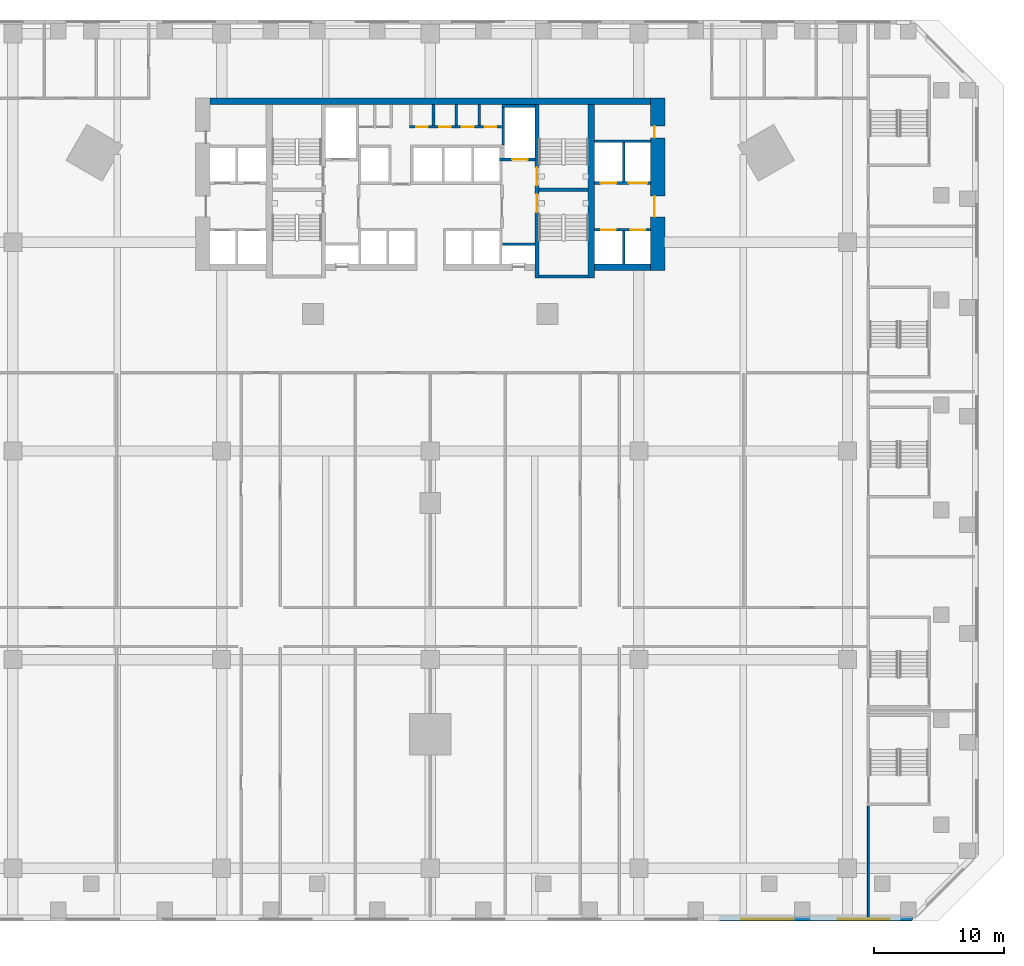
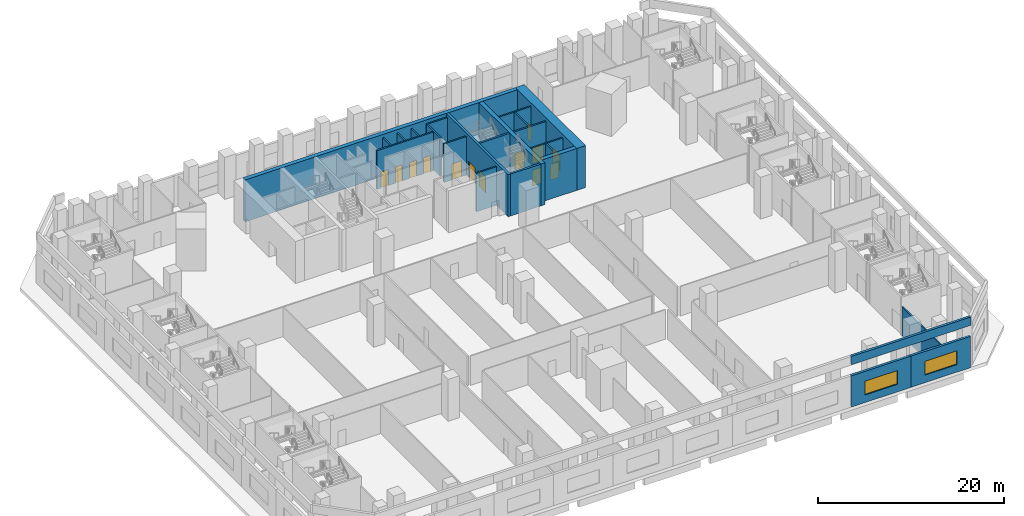
# One storey, part 8 of 22: 24 walls, 13 doors, 2 windows, 15 openings.
"""IFC4 building model written with IfcOpenShell, lengths in metres."""

from ifc_helpers import new_model, si_unit, direction, frame, frame_2d, origin, place, context, subcontext, project, spatial, rectangle, extrude, material, layer, layer_set, type_object, element, fill, save


model = new_model("IFC4")

# Units and contexts
model_context = context("Model", 3, precision=1e-05, world=origin(), true_north=direction((0.0, 1.0)))
body_context = subcontext(model_context, "Body", "Model", "MODEL_VIEW")
ifc_project = project(units=[si_unit("LENGTHUNIT", "METRE"), si_unit("AREAUNIT", "SQUARE_METRE"), si_unit("VOLUMEUNIT", "CUBIC_METRE"), si_unit("PLANEANGLEUNIT", "RADIAN"), si_unit("MASSUNIT", "GRAM", prefix="KILO")], contexts=[model_context])

# Site, building, storey
site_placement = place(None, origin())
site = spatial("IfcSite", under=ifc_project, at=site_placement, CompositionType="ELEMENT")
building_placement = place(site_placement, origin())
building = spatial("IfcBuilding", under=site, at=building_placement, Name="Calabash Gate Tower", CompositionType="ELEMENT")
storey_placement = place(building_placement, frame((0.0, 0.0, 34.5)))
storey = spatial("IfcBuildingStorey", under=building, at=storey_placement, Name="L04", CompositionType="ELEMENT", Elevation=34.5)

# Walls
ifc_material_1 = material(Name="Gypsum board on steel studs, mineral wool", Category="steel")
ifc_layer_1 = layer(ifc_material_1, 0.199951171875)
ifc_layer_set_1 = layer_set([ifc_layer_1], Name="Core partition 200 gypsum board")
wall_type_1 = type_object("IfcWallType", Name="Core partition 200 gypsum board", PredefinedType="PARTITIONING", material=ifc_layer_set_1)
for number, where, z_axis, x_axis, name in (
    (1, (0.25, 16.95263671875, 0.0), (0.0, 0.0, 1.0), (0.0, 1.0, 0.0), "Core partition"),
    (2, (2.0, 16.95263671875, 0.0), (0.0, 0.0, 1.0), (0.0, 1.0, 0.0), "Core partition"),
    (3, (3.75, 16.95263671875, 0.0), (0.0, 0.0, 1.0), (0.0, 1.0, 0.0), "Core partition"),
):
    element("IfcWall", number, at=place(storey_placement, frame(where, z_axis=z_axis, x_axis=x_axis)), inside=storey, type_object=wall_type_1, Name=name, PredefinedType="PARTITIONING", context=body_context, shape_type="SweptSolid", body=[
        extrude(rectangle(XDim=1.599853515625, YDim=0.199951171875, at=frame_2d((0.7998046875, 0.0))), origin(), (0.0, 0.0, 1.0), 5.050048828125),
    ])

# Wall, openings, doors
ifc_material_2 = material(Name="Concrete C80/95", Category="concrete")
ifc_layer_2 = layer(ifc_material_2, 1.10009765625)
ifc_layer_set_2 = layer_set([ifc_layer_2], Name="Core wall 1100 Concrete C80/95")
wall_type_2 = type_object("IfcWallType", Name="Core wall 1100 Concrete C80/95", PredefinedType="SHEAR", material=ifc_layer_set_2)
wall_1_placement = place(storey_placement, frame((17.449951171875, 5.8525390625, 0.0), z_axis=(0.0, 0.0, 1.0), x_axis=(0.0, 1.0, 0.0)))
wall_1 = element("IfcWall", 4, at=wall_1_placement, inside=storey, type_object=wall_type_2, Name="Core wall Z0-ENDE L04", PredefinedType="SHEAR", context=body_context, shape_type="SweptSolid", body=[
    extrude(rectangle(XDim=13.199951171875, YDim=1.10009765625, at=frame_2d((6.60009765625, 0.0))), origin(), (0.0, 0.0, 1.0), 5.5),
])
opening_1_placement = place(wall_1_placement, frame((4.10009765625, 0.0, 0.0)))
opening_1 = element("IfcOpeningElement", 5, at=opening_1_placement, cuts=wall_1, Name="Opening L04-018", PredefinedType="OPENING", context=body_context, shape_type="SweptSolid", body=[
    extrude(rectangle(XDim=1.60009765625, YDim=2.10009765625, at=frame_2d((0.800048828125, 1.050048828125))), frame((0.0, 0.56005859375, 0.0), z_axis=(0.0, -1.0, 0.0), x_axis=(1.0, 0.0, 0.0)), (0.0, 0.0, 1.0), 1.1201171875),
])
opening_2_placement = place(wall_1_placement, frame((10.14990234375, 0.0, 0.0)))
opening_2 = element("IfcOpeningElement", 6, at=opening_2_placement, cuts=wall_1, Name="Opening L04-019", PredefinedType="OPENING", context=body_context, shape_type="SweptSolid", body=[
    extrude(rectangle(XDim=0.89990234375, YDim=2.10009765625, at=frame_2d((0.449951171875, 1.050048828125))), frame((0.0, 0.56005859375, 0.0), z_axis=(0.0, -1.0, 0.0), x_axis=(1.0, 0.0, 0.0)), (0.0, 0.0, 1.0), 1.1201171875),
])
ifc_material_3 = material(Name="Steel fire door set with fire-resisting glazing", Category="steel")
door_type_1 = type_object("IfcDoorType", Name="Double fire door D08 1600x2100 FD60", OperationType="DOUBLE_DOOR_SINGLE_SWING", PredefinedType="DOOR", material=ifc_material_3)
door_1_placement = place(opening_1_placement, origin())
door_1 = element("IfcDoor", 7, at=door_1_placement, inside=storey, type_object=door_type_1, Name="Low-rise Lift Lobby E door", OperationType="DOUBLE_DOOR_SINGLE_SWING", OverallHeight=2.10009765625, OverallWidth=1.60009765625, PredefinedType="DOOR", context=body_context, shape_type="SweptSolid", body=[
    extrude(rectangle(XDim=1.60009765625, YDim=2.10009765625, at=frame_2d((0.800048828125, 1.050048828125))), frame((0.0, 0.27490234375, 0.0), z_axis=(0.0, -1.0, 0.0), x_axis=(1.0, 0.0, 0.0)), (0.0, 0.0, 1.0), 0.050048828125),
])
fill(opening_1, door_1)
ifc_material_4 = material(Name="Steel fire door set with fire-resisting glazing", Category="steel")
door_type_2 = type_object("IfcDoorType", Name="Fire door D06 900x2100 FD60", OperationType="NOTDEFINED", PredefinedType="DOOR", material=ifc_material_4)
door_2_placement = place(opening_2_placement, origin())
door_2 = element("IfcDoor", 8, at=door_2_placement, inside=storey, type_object=door_type_2, Name="Store door", OperationType="SINGLE_SWING_LEFT", OverallHeight=2.10009765625, OverallWidth=0.89990234375, PredefinedType="DOOR", context=body_context, shape_type="SweptSolid", body=[
    extrude(rectangle(XDim=0.89990234375, YDim=2.10009765625, at=frame_2d((0.449951171875, 1.050048828125))), frame((0.0, 0.27490234375, 0.0), z_axis=(0.0, -1.0, 0.0), x_axis=(1.0, 0.0, 0.0)), (0.0, 0.0, 1.0), 0.050048828125),
])
fill(opening_2, door_2)

# Walls
ifc_material_5 = material(Name="Concrete C80/95", Category="concrete")
ifc_layer_3 = layer(ifc_material_5, 0.25)
ifc_layer_set_3 = layer_set([ifc_layer_3], Name="Core wall 250 Concrete C80/95")
wall_type_3 = type_object("IfcWallType", Name="Core wall 250 Concrete C80/95", PredefinedType="SHEAR", material=ifc_layer_set_3)
for number, where, z_axis, x_axis, name in (
    (9, (8.35009765625, 12.027587890625, 0.0), (0.0, 0.0, 1.0), (1.0, 0.0, 0.0), "Core wall Z0-MIDE L04"),
    (10, (8.35009765625, 5.377685546875, 0.0), (0.0, 0.0, 1.0), (1.0, 0.0, 0.0), "Core wall Z0-SSE L04"),
):
    element("IfcWall", number, at=place(storey_placement, frame(where, z_axis=z_axis, x_axis=x_axis)), inside=storey, type_object=wall_type_3, Name=name, PredefinedType="SHEAR", context=body_context, shape_type="SweptSolid", body=[
        extrude(rectangle(XDim=3.75, YDim=0.25, at=frame_2d((1.875, 0.0))), origin(), (0.0, 0.0, 1.0), 5.5),
    ])

# Wall, openings, doors
ifc_material_6 = material(Name="Concrete C80/95", Category="concrete")
ifc_layer_4 = layer(ifc_material_6, 0.300048828125)
ifc_layer_set_4 = layer_set([ifc_layer_4], Name="Core wall 300 Concrete C80/95")
wall_type_4 = type_object("IfcWallType", Name="Core wall 300 Concrete C80/95", PredefinedType="SHEAR", material=ifc_layer_set_4)
wall_2_placement = place(storey_placement, frame((8.199951171875, 5.252685546875, 0.0), z_axis=(0.0, 0.0, 1.0), x_axis=(0.0, 1.0, 0.0)))
wall_2 = element("IfcWall", 11, at=wall_2_placement, inside=storey, type_object=wall_type_4, Name="Core wall Z0-PARTE L04", PredefinedType="SHEAR", context=body_context, shape_type="SweptSolid", body=[
    extrude(rectangle(XDim=13.2998046875, YDim=0.300048828125, at=frame_2d((6.64990234375, 0.0))), origin(), (0.0, 0.0, 1.0), 5.5),
])
opening_3_placement = place(wall_2_placement, frame((7.10009765625, 0.0, 0.0)))
opening_3 = element("IfcOpeningElement", 12, at=opening_3_placement, cuts=wall_2, Name="Opening L04-003", PredefinedType="OPENING", context=body_context, shape_type="SweptSolid", body=[
    extrude(rectangle(XDim=1.39990234375, YDim=2.10009765625, at=frame_2d((0.699951171875, 1.050048828125))), frame((0.0, 0.159912109375, 0.0), z_axis=(0.0, -1.0, 0.0), x_axis=(1.0, 0.0, 0.0)), (0.0, 0.0, 1.0), 0.320068359375),
])
opening_4_placement = place(wall_2_placement, frame((5.050048828125, 0.0, 0.0)))
opening_4 = element("IfcOpeningElement", 13, at=opening_4_placement, cuts=wall_2, Name="Opening L04-004", PredefinedType="OPENING", context=body_context, shape_type="SweptSolid", body=[
    extrude(rectangle(XDim=1.39990234375, YDim=2.10009765625, at=frame_2d((0.699951171875, 1.050048828125))), frame((0.0, 0.159912109375, 0.0), z_axis=(0.0, -1.0, 0.0), x_axis=(1.0, 0.0, 0.0)), (0.0, 0.0, 1.0), 0.320068359375),
])
ifc_material_7 = material(Name="Steel fire door set with fire-resisting glazing", Category="steel")
door_type_3 = type_object("IfcDoorType", Name="Fire door D05 1400x2100 FD90", OperationType="NOTDEFINED", PredefinedType="DOOR", material=ifc_material_7)
door_3_placement = place(opening_3_placement, origin())
door_3 = element("IfcDoor", 14, at=door_3_placement, inside=storey, type_object=door_type_3, Name="Exit stair door ST3", OperationType="SINGLE_SWING_RIGHT", OverallHeight=2.10009765625, OverallWidth=1.39990234375, PredefinedType="DOOR", context=body_context, shape_type="SweptSolid", body=[
    extrude(rectangle(XDim=1.39990234375, YDim=2.10009765625, at=frame_2d((0.699951171875, 1.050048828125))), frame((0.0, 0.02490234375, 0.0), z_axis=(0.0, -1.0, 0.0), x_axis=(1.0, 0.0, 0.0)), (0.0, 0.0, 1.0), 0.050048828125),
])
fill(opening_3, door_3)
door_4_placement = place(opening_4_placement, origin())
door_4 = element("IfcDoor", 15, at=door_4_placement, inside=storey, type_object=door_type_3, Name="Exit stair door ST4", OperationType="SINGLE_SWING_LEFT", OverallHeight=2.10009765625, OverallWidth=1.39990234375, PredefinedType="DOOR", context=body_context, shape_type="SweptSolid", body=[
    extrude(rectangle(XDim=1.39990234375, YDim=2.10009765625, at=frame_2d((0.699951171875, 1.050048828125))), frame((0.0, 0.02490234375, 0.0), z_axis=(0.0, -1.0, 0.0), x_axis=(1.0, 0.0, 0.0)), (0.0, 0.0, 1.0), 0.050048828125),
])
fill(opening_4, door_4)

# Walls
ifc_material_8 = material(Name="Concrete C80/95", Category="concrete")
ifc_layer_5 = layer(ifc_material_8, 0.5)
ifc_layer_set_5 = layer_set([ifc_layer_5], Name="Core wall 500 Concrete C80/95")
wall_type_5 = type_object("IfcWallType", Name="Core wall 500 Concrete C80/95", PredefinedType="SHEAR", material=ifc_layer_set_5)
wall_3_placement = place(storey_placement, frame((-16.89990234375, 18.802490234375, 0.0), z_axis=(0.0, 0.0, 1.0), x_axis=(1.0, 0.0, 0.0)))
element("IfcWall", 16, at=wall_3_placement, inside=storey, type_object=wall_type_5, Name="Core wall Z0-N L04", PredefinedType="SHEAR", context=body_context, shape_type="SweptSolid", body=[
    extrude(rectangle(XDim=33.7998046875, YDim=0.5, at=frame_2d((16.89990234375, 0.0))), origin(), (0.0, 0.0, 1.0), 5.5),
])
wall_4_placement = place(storey_placement, frame((12.35009765625, 5.252685546875, 0.0), z_axis=(0.0, 0.0, 1.0), x_axis=(0.0, 1.0, 0.0)))
element("IfcWall", 17, at=wall_4_placement, inside=storey, type_object=wall_type_5, Name="Core wall Z0-COLE L04", PredefinedType="SHEAR", context=body_context, shape_type="SweptSolid", body=[
    extrude(rectangle(XDim=13.2998046875, YDim=0.5, at=frame_2d((6.64990234375, 0.0))), origin(), (0.0, 0.0, 1.0), 5.5),
])
wall_5_placement = place(storey_placement, frame((12.60009765625, 6.1025390625, 0.0), z_axis=(0.0, 0.0, 1.0), x_axis=(1.0, 0.0, 0.0)))
element("IfcWall", 18, at=wall_5_placement, inside=storey, type_object=wall_type_5, Name="Core wall Z0-SE L04", PredefinedType="SHEAR", context=body_context, shape_type="SweptSolid", body=[
    extrude(rectangle(XDim=4.2998046875, YDim=0.5, at=frame_2d((2.14990234375, 0.0))), origin(), (0.0, 0.0, 1.0), 5.5),
])
ifc_material_9 = material(Name="Gypsum board on steel studs, mineral wool", Category="steel")
ifc_layer_6 = layer(ifc_material_9, 0.14990234375)
ifc_layer_set_6 = layer_set([ifc_layer_6], Name="Partition 150 gypsum board")
wall_type_6 = type_object("IfcWallType", Name="Partition 150 gypsum board", PredefinedType="PARTITIONING", material=ifc_layer_set_6)
wall_6_placement = place(storey_placement, frame((33.60009765625, -43.719970703125, 0.0), z_axis=(0.0, 0.0, 1.0), x_axis=(0.0, 1.0, 0.0)))
element("IfcWall", 19, at=wall_6_placement, inside=storey, type_object=wall_type_6, Name="Partition", PredefinedType="PARTITIONING", context=body_context, shape_type="SweptSolid", body=[
    extrude(rectangle(XDim=8.47998046875, YDim=0.14990234375, at=frame_2d((4.239990234375, 0.0))), origin(), (0.0, 0.0, 1.0), 3.85009765625),
])

# Wall, opening, window
ifc_material_10 = material(Name="Terracotta brick masonry, exposed face", Category="masonry")
ifc_layer_7 = layer(ifc_material_10, 0.300048828125)
ifc_layer_set_7 = layer_set([ifc_layer_7], Name="Podium brick wall 300")
wall_type_7 = type_object("IfcWallType", Name="Podium brick wall 300", PredefinedType="SOLIDWALL", material=ifc_layer_set_7)
wall_7_placement = place(storey_placement, frame((22.169921875, -43.89990234375, 0.0), z_axis=(0.0, 0.0, 1.0), x_axis=(1.0, 0.0, 0.0)))
wall_7 = element("IfcWall", 20, at=wall_7_placement, inside=storey, type_object=wall_type_7, Name="Podium brick wall L04 0.0.8", PredefinedType="SOLIDWALL", context=body_context, shape_type="SweptSolid", body=[
    extrude(rectangle(XDim=7.39013671875, YDim=0.300048828125, at=frame_2d((3.695068359375, 0.0))), origin(), (0.0, 0.0, 1.0), 4.10009765625),
])
opening_5_placement = place(wall_7_placement, frame((1.695068359375, 0.0, 1.0)))
opening_5 = element("IfcOpeningElement", 21, at=opening_5_placement, cuts=wall_7, Name="Opening WM1", PredefinedType="OPENING", context=body_context, shape_type="SweptSolid", body=[
    extrude(rectangle(XDim=4.0, YDim=1.800048828125, at=frame_2d((2.0, 0.89990234375))), frame((0.0, 0.159912109375, 0.0), z_axis=(0.0, -1.0, 0.0), x_axis=(1.0, 0.0, 0.0)), (0.0, 0.0, 1.0), 0.320068359375),
])
ifc_material_11 = material(Name="Anodised aluminium frame, bronze finish, impact-rated laminated clear glazing", Category="aluminium")
window_type = type_object("IfcWindowType", Name="Window WM1 4000x1800", PartitioningType="TRIPLE_PANEL_VERTICAL", PredefinedType="WINDOW", material=ifc_material_11)
window_1_placement = place(opening_5_placement, origin())
window_1 = element("IfcWindow", 22, at=window_1_placement, inside=storey, type_object=window_type, Name="Meeting room window L04 0.0.8", OverallHeight=1.800048828125, OverallWidth=4.0, PartitioningType="SINGLE_PANEL", PredefinedType="WINDOW", context=body_context, shape_type="SweptSolid", body=[
    extrude(rectangle(XDim=4.0, YDim=1.800048828125, at=frame_2d((2.0, 0.89990234375))), frame((0.0, 0.030029296875, 0.0), z_axis=(0.0, -1.0, 0.0), x_axis=(1.0, 0.0, 0.0)), (0.0, 0.0, 1.0), 0.06005859375),
])
fill(opening_5, window_1)

wall_8_placement = place(storey_placement, frame((29.56005859375, -43.89990234375, 0.0), z_axis=(0.0, 0.0, 1.0), x_axis=(1.0, 0.0, 0.0)))
wall_8 = element("IfcWall", 23, at=wall_8_placement, inside=storey, type_object=wall_type_7, Name="Podium brick wall L04 0.0.9", PredefinedType="SOLIDWALL", context=body_context, shape_type="SweptSolid", body=[
    extrude(rectangle(XDim=7.389892578125, YDim=0.300048828125, at=frame_2d((3.69482421875, 0.0))), origin(), (0.0, 0.0, 1.0), 4.10009765625),
])
opening_6_placement = place(wall_8_placement, frame((1.695068359375, 0.0, 1.0)))
opening_6 = element("IfcOpeningElement", 24, at=opening_6_placement, cuts=wall_8, Name="Opening WM1", PredefinedType="OPENING", context=body_context, shape_type="SweptSolid", body=[
    extrude(rectangle(XDim=4.0, YDim=1.800048828125, at=frame_2d((2.0, 0.89990234375))), frame((0.0, 0.159912109375, 0.0), z_axis=(0.0, -1.0, 0.0), x_axis=(1.0, 0.0, 0.0)), (0.0, 0.0, 1.0), 0.320068359375),
])
window_2_placement = place(opening_6_placement, origin())
window_2 = element("IfcWindow", 25, at=window_2_placement, inside=storey, type_object=window_type, Name="Meeting room window L04 0.0.9", OverallHeight=1.800048828125, OverallWidth=4.0, PartitioningType="SINGLE_PANEL", PredefinedType="WINDOW", context=body_context, shape_type="SweptSolid", body=[
    extrude(rectangle(XDim=4.0, YDim=1.800048828125, at=frame_2d((2.0, 0.89990234375))), frame((0.0, 0.030029296875, 0.0), z_axis=(0.0, -1.0, 0.0), x_axis=(1.0, 0.0, 0.0)), (0.0, 0.0, 1.0), 0.06005859375),
])
fill(opening_6, window_2)

# Walls
ifc_material_12 = material(Name="Terracotta brick masonry, exposed face", Category="masonry")
ifc_layer_8 = layer(ifc_material_12, 0.300048828125)
ifc_layer_set_8 = layer_set([ifc_layer_8], Name="Podium parapet wall 300")
wall_type_8 = type_object("IfcWallType", Name="Podium parapet wall 300", PredefinedType="PARAPET", material=ifc_layer_set_8)
wall_9_placement = place(storey_placement, frame((22.199951171875, -43.85009765625, 5.5), z_axis=(0.0, 0.0, 1.0), x_axis=(1.0, 0.0, 0.0)))
element("IfcWall", 26, at=wall_9_placement, inside=storey, type_object=wall_type_8, Name="Podium parapet L04 0.0.4", PredefinedType="PARAPET", context=body_context, shape_type="SweptSolid", body=[
    extrude(rectangle(XDim=14.800048828125, YDim=0.300048828125, at=frame_2d((7.39990234375, 0.0))), origin(), (0.0, 0.0, 1.0), 1.10009765625),
])
ifc_material_13 = material(Name="Concrete C40/50", Category="concrete")
ifc_layer_9 = layer(ifc_material_13, 0.199951171875)
ifc_layer_set_9 = layer_set([ifc_layer_9], Name="Shaft wall 200 Concrete C40/50")
wall_type_9 = type_object("IfcWallType", Name="Shaft wall 200 Concrete C40/50", PredefinedType="SOLIDWALL", material=ifc_layer_set_9)
for number, where, z_axis, x_axis, name in (
    (27, (14.85009765625, 6.3525390625, 0.0), (0.0, 0.0, 1.0), (0.0, 1.0, 0.0), "Shaft wall"),
    (28, (5.550048828125, 7.8525390625, 0.0), (0.0, 0.0, 1.0), (1.0, 0.0, 0.0), "Shaft wall"),
):
    element("IfcWall", number, at=place(storey_placement, frame(where, z_axis=z_axis, x_axis=x_axis)), inside=storey, type_object=wall_type_9, Name=name, PredefinedType="SOLIDWALL", context=body_context, shape_type="SweptSolid", body=[
        extrude(rectangle(XDim=2.5, YDim=0.199951171875, at=frame_2d((1.25, 0.0))), origin(), (0.0, 0.0, 1.0), 5.050048828125),
    ])

# Wall, openings, doors
wall_10_placement = place(storey_placement, frame((12.60009765625, 8.95263671875, 0.0), z_axis=(0.0, 0.0, 1.0), x_axis=(1.0, 0.0, 0.0)))
wall_10 = element("IfcWall", 29, at=wall_10_placement, inside=storey, type_object=wall_type_9, Name="Shaft wall", PredefinedType="SOLIDWALL", context=body_context, shape_type="SweptSolid", body=[
    extrude(rectangle(XDim=4.2998046875, YDim=0.199951171875, at=frame_2d((2.14990234375, 0.0))), origin(), (0.0, 0.0, 1.0), 5.050048828125),
])
opening_7_placement = place(wall_10_placement, frame((0.52490234375, 0.0, 0.0)))
opening_7 = element("IfcOpeningElement", 30, at=opening_7_placement, cuts=wall_10, Name="Opening LD-LR5", PredefinedType="OPENING", context=body_context, shape_type="SweptSolid", body=[
    extrude(rectangle(XDim=1.10009765625, YDim=2.10009765625, at=frame_2d((0.550048828125, 1.050048828125))), frame((0.0, 0.10986328125, 0.0), z_axis=(0.0, -1.0, 0.0), x_axis=(1.0, 0.0, 0.0)), (0.0, 0.0, 1.0), 0.219970703125),
])
opening_8_placement = place(wall_10_placement, frame((2.77490234375, 0.0, 0.0)))
opening_8 = element("IfcOpeningElement", 31, at=opening_8_placement, cuts=wall_10, Name="Opening LD-LR6", PredefinedType="OPENING", context=body_context, shape_type="SweptSolid", body=[
    extrude(rectangle(XDim=1.10009765625, YDim=2.10009765625, at=frame_2d((0.550048828125, 1.050048828125))), frame((0.0, 0.10986328125, 0.0), z_axis=(0.0, -1.0, 0.0), x_axis=(1.0, 0.0, 0.0)), (0.0, 0.0, 1.0), 0.219970703125),
])
ifc_material_14 = material(Name="Stainless steel sliding door leaves", Category="steel")
door_type_4 = type_object("IfcDoorType", Name="Lift landing door LS1 1100x2100 FD90", OperationType="DOUBLE_DOOR_SLIDING", PredefinedType="DOOR", material=ifc_material_14)
door_5_placement = place(opening_7_placement, origin())
door_5 = element("IfcDoor", 32, at=door_5_placement, inside=storey, type_object=door_type_4, Name="Lift landing door LR5", OperationType="DOUBLE_DOOR_SLIDING", OverallHeight=2.10009765625, OverallWidth=1.10009765625, PredefinedType="DOOR", context=body_context, shape_type="SweptSolid", body=[
    extrude(rectangle(XDim=1.10009765625, YDim=2.10009765625, at=frame_2d((0.550048828125, 1.050048828125))), frame((0.0, 0.02490234375, 0.0), z_axis=(0.0, -1.0, 0.0), x_axis=(1.0, 0.0, 0.0)), (0.0, 0.0, 1.0), 0.050048828125),
])
fill(opening_7, door_5)
door_6_placement = place(opening_8_placement, origin())
door_6 = element("IfcDoor", 33, at=door_6_placement, inside=storey, type_object=door_type_4, Name="Lift landing door LR6", OperationType="DOUBLE_DOOR_SLIDING", OverallHeight=2.10009765625, OverallWidth=1.10009765625, PredefinedType="DOOR", context=body_context, shape_type="SweptSolid", body=[
    extrude(rectangle(XDim=1.10009765625, YDim=2.10009765625, at=frame_2d((0.550048828125, 1.050048828125))), frame((0.0, 0.02490234375, 0.0), z_axis=(0.0, -1.0, 0.0), x_axis=(1.0, 0.0, 0.0)), (0.0, 0.0, 1.0), 0.050048828125),
])
fill(opening_8, door_6)

wall_11_placement = place(storey_placement, frame((12.60009765625, 12.552490234375, 0.0), z_axis=(0.0, 0.0, 1.0), x_axis=(1.0, 0.0, 0.0)))
wall_11 = element("IfcWall", 34, at=wall_11_placement, inside=storey, type_object=wall_type_9, Name="Shaft wall", PredefinedType="SOLIDWALL", context=body_context, shape_type="SweptSolid", body=[
    extrude(rectangle(XDim=4.2998046875, YDim=0.199951171875, at=frame_2d((2.14990234375, 0.0))), origin(), (0.0, 0.0, 1.0), 5.050048828125),
])
opening_9_placement = place(wall_11_placement, frame((0.47509765625, 0.0, 0.0)))
opening_9 = element("IfcOpeningElement", 35, at=opening_9_placement, cuts=wall_11, Name="Opening LD-SL1", PredefinedType="OPENING", context=body_context, shape_type="SweptSolid", body=[
    extrude(rectangle(XDim=1.199951171875, YDim=2.10009765625, at=frame_2d((0.60009765625, 1.050048828125))), frame((0.0, 0.10986328125, 0.0), z_axis=(0.0, -1.0, 0.0), x_axis=(1.0, 0.0, 0.0)), (0.0, 0.0, 1.0), 0.219970703125),
])
opening_10_placement = place(wall_11_placement, frame((2.625, 0.0, 0.0)))
opening_10 = element("IfcOpeningElement", 36, at=opening_10_placement, cuts=wall_11, Name="Opening LD-GL1", PredefinedType="OPENING", context=body_context, shape_type="SweptSolid", body=[
    extrude(rectangle(XDim=1.39990234375, YDim=2.10009765625, at=frame_2d((0.699951171875, 1.050048828125))), frame((0.0, 0.10986328125, 0.0), z_axis=(0.0, -1.0, 0.0), x_axis=(1.0, 0.0, 0.0)), (0.0, 0.0, 1.0), 0.219970703125),
])
ifc_material_15 = material(Name="Stainless steel sliding door leaves", Category="steel")
door_type_5 = type_object("IfcDoorType", Name="Lift landing door LS3 1200x2100 FD90", OperationType="DOUBLE_DOOR_SLIDING", PredefinedType="DOOR", material=ifc_material_15)
door_7_placement = place(opening_9_placement, origin())
door_7 = element("IfcDoor", 37, at=door_7_placement, inside=storey, type_object=door_type_5, Name="Lift landing door SL1", OperationType="DOUBLE_DOOR_SLIDING", OverallHeight=2.10009765625, OverallWidth=1.199951171875, PredefinedType="DOOR", context=body_context, shape_type="SweptSolid", body=[
    extrude(rectangle(XDim=1.199951171875, YDim=2.10009765625, at=frame_2d((0.60009765625, 1.050048828125))), frame((0.0, 0.02490234375, 0.0), z_axis=(0.0, -1.0, 0.0), x_axis=(1.0, 0.0, 0.0)), (0.0, 0.0, 1.0), 0.050048828125),
])
fill(opening_9, door_7)
ifc_material_16 = material(Name="Stainless steel sliding door leaves", Category="steel")
door_type_6 = type_object("IfcDoorType", Name="Lift landing door LS4 1400x2100 FD90", OperationType="DOUBLE_DOOR_SLIDING", PredefinedType="DOOR", material=ifc_material_16)
door_8_placement = place(opening_10_placement, origin())
door_8 = element("IfcDoor", 38, at=door_8_placement, inside=storey, type_object=door_type_6, Name="Lift landing door GL1", OperationType="DOUBLE_DOOR_SLIDING", OverallHeight=2.10009765625, OverallWidth=1.39990234375, PredefinedType="DOOR", context=body_context, shape_type="SweptSolid", body=[
    extrude(rectangle(XDim=1.39990234375, YDim=2.10009765625, at=frame_2d((0.699951171875, 1.050048828125))), frame((0.0, 0.02490234375, 0.0), z_axis=(0.0, -1.0, 0.0), x_axis=(1.0, 0.0, 0.0)), (0.0, 0.0, 1.0), 0.050048828125),
])
fill(opening_10, door_8)

# Wall
wall_12_placement = place(storey_placement, frame((14.85009765625, 12.652587890625, 0.0), z_axis=(0.0, 0.0, 1.0), x_axis=(0.0, 1.0, 0.0)))
element("IfcWall", 39, at=wall_12_placement, inside=storey, type_object=wall_type_9, Name="Shaft wall", PredefinedType="SOLIDWALL", context=body_context, shape_type="SweptSolid", body=[
    extrude(rectangle(XDim=3.0, YDim=0.199951171875, at=frame_2d((1.5, 0.0))), origin(), (0.0, 0.0, 1.0), 5.050048828125),
])

# Wall, opening, door
wall_13_placement = place(storey_placement, frame((5.300048828125, 14.3525390625, 0.0), z_axis=(0.0, 0.0, 1.0), x_axis=(1.0, 0.0, 0.0)))
wall_13 = element("IfcWall", 40, at=wall_13_placement, inside=storey, type_object=wall_type_9, Name="Shaft wall", PredefinedType="SOLIDWALL", context=body_context, shape_type="SweptSolid", body=[
    extrude(rectangle(XDim=2.75, YDim=0.199951171875, at=frame_2d((1.375, 0.0))), origin(), (0.0, 0.0, 1.0), 5.050048828125),
])
opening_11_placement = place(wall_13_placement, frame((0.97509765625, 0.0, 0.0)))
opening_11 = element("IfcOpeningElement", 41, at=opening_11_placement, cuts=wall_13, Name="Opening LD-FF2", PredefinedType="OPENING", context=body_context, shape_type="SweptSolid", body=[
    extrude(rectangle(XDim=1.199951171875, YDim=2.10009765625, at=frame_2d((0.60009765625, 1.050048828125))), frame((0.0, 0.10986328125, 0.0), z_axis=(0.0, -1.0, 0.0), x_axis=(1.0, 0.0, 0.0)), (0.0, 0.0, 1.0), 0.219970703125),
])
door_9_placement = place(opening_11_placement, origin())
door_9 = element("IfcDoor", 42, at=door_9_placement, inside=storey, type_object=door_type_5, Name="Lift landing door FF2", OperationType="DOUBLE_DOOR_SLIDING", OverallHeight=2.10009765625, OverallWidth=1.199951171875, PredefinedType="DOOR", context=body_context, shape_type="SweptSolid", body=[
    extrude(rectangle(XDim=1.199951171875, YDim=2.10009765625, at=frame_2d((0.60009765625, 1.050048828125))), frame((0.0, 0.02490234375, 0.0), z_axis=(0.0, -1.0, 0.0), x_axis=(1.0, 0.0, 0.0)), (0.0, 0.0, 1.0), 0.050048828125),
])
fill(opening_11, door_9)

# Walls
wall_14_placement = place(storey_placement, frame((5.60009765625, 15.45263671875, 0.0), z_axis=(0.0, 0.0, 1.0), x_axis=(0.0, 1.0, 0.0)))
element("IfcWall", 43, at=wall_14_placement, inside=storey, type_object=wall_type_9, Name="Shaft wall", PredefinedType="SOLIDWALL", context=body_context, shape_type="SweptSolid", body=[
    extrude(rectangle(XDim=2.89990234375, YDim=0.199951171875, at=frame_2d((1.449951171875, 0.0))), origin(), (0.0, 0.0, 1.0), 5.050048828125),
])
wall_15_placement = place(storey_placement, frame((12.60009765625, 15.752685546875, 0.0), z_axis=(0.0, 0.0, 1.0), x_axis=(1.0, 0.0, 0.0)))
element("IfcWall", 44, at=wall_15_placement, inside=storey, type_object=wall_type_9, Name="Shaft wall", PredefinedType="SOLIDWALL", context=body_context, shape_type="SweptSolid", body=[
    extrude(rectangle(XDim=4.2998046875, YDim=0.199951171875, at=frame_2d((2.14990234375, 0.0))), origin(), (0.0, 0.0, 1.0), 5.050048828125),
])

# Wall, openings, doors
wall_16_placement = place(storey_placement, frame((-1.60009765625, 16.8525390625, 0.0), z_axis=(0.0, 0.0, 1.0), x_axis=(1.0, 0.0, 0.0)))
wall_16 = element("IfcWall", 45, at=wall_16_placement, inside=storey, type_object=wall_type_9, Name="Shaft wall", PredefinedType="SOLIDWALL", context=body_context, shape_type="SweptSolid", body=[
    extrude(rectangle(XDim=7.050048828125, YDim=0.199951171875, at=frame_2d((3.52490234375, 0.0))), origin(), (0.0, 0.0, 1.0), 5.050048828125),
])
opening_12_placement = place(wall_16_placement, frame((0.52490234375, 0.0, 0.0)))
opening_12 = element("IfcOpeningElement", 46, at=opening_12_placement, cuts=wall_16, Name="Opening L04-010", PredefinedType="OPENING", context=body_context, shape_type="SweptSolid", body=[
    extrude(rectangle(XDim=0.89990234375, YDim=2.10009765625, at=frame_2d((0.449951171875, 1.050048828125))), frame((0.0, 0.10986328125, 0.0), z_axis=(0.0, -1.0, 0.0), x_axis=(1.0, 0.0, 0.0)), (0.0, 0.0, 1.0), 0.219970703125),
])
opening_13_placement = place(wall_16_placement, frame((2.27490234375, 0.0, 0.0)))
opening_13 = element("IfcOpeningElement", 47, at=opening_13_placement, cuts=wall_16, Name="Opening L04-011", PredefinedType="OPENING", context=body_context, shape_type="SweptSolid", body=[
    extrude(rectangle(XDim=0.89990234375, YDim=2.10009765625, at=frame_2d((0.449951171875, 1.050048828125))), frame((0.0, 0.10986328125, 0.0), z_axis=(0.0, -1.0, 0.0), x_axis=(1.0, 0.0, 0.0)), (0.0, 0.0, 1.0), 0.219970703125),
])
opening_14_placement = place(wall_16_placement, frame((4.02490234375, 0.0, 0.0)))
opening_14 = element("IfcOpeningElement", 48, at=opening_14_placement, cuts=wall_16, Name="Opening L04-012", PredefinedType="OPENING", context=body_context, shape_type="SweptSolid", body=[
    extrude(rectangle(XDim=0.89990234375, YDim=2.10009765625, at=frame_2d((0.449951171875, 1.050048828125))), frame((0.0, 0.10986328125, 0.0), z_axis=(0.0, -1.0, 0.0), x_axis=(1.0, 0.0, 0.0)), (0.0, 0.0, 1.0), 0.219970703125),
])
opening_15_placement = place(wall_16_placement, frame((5.77490234375, 0.0, 0.0)))
opening_15 = element("IfcOpeningElement", 49, at=opening_15_placement, cuts=wall_16, Name="Opening L04-013", PredefinedType="OPENING", context=body_context, shape_type="SweptSolid", body=[
    extrude(rectangle(XDim=0.89990234375, YDim=2.10009765625, at=frame_2d((0.449951171875, 1.050048828125))), frame((0.0, 0.10986328125, 0.0), z_axis=(0.0, -1.0, 0.0), x_axis=(1.0, 0.0, 0.0)), (0.0, 0.0, 1.0), 0.219970703125),
])
door_10_placement = place(opening_12_placement, origin())
door_10 = element("IfcDoor", 50, at=door_10_placement, inside=storey, type_object=door_type_2, Name="Comms Room door", OperationType="SINGLE_SWING_LEFT", OverallHeight=2.10009765625, OverallWidth=0.89990234375, PredefinedType="DOOR", context=body_context, shape_type="SweptSolid", body=[
    extrude(rectangle(XDim=0.89990234375, YDim=2.10009765625, at=frame_2d((0.449951171875, 1.050048828125))), frame((0.0, 0.02490234375, 0.0), z_axis=(0.0, -1.0, 0.0), x_axis=(1.0, 0.0, 0.0)), (0.0, 0.0, 1.0), 0.050048828125),
])
fill(opening_12, door_10)
door_11_placement = place(opening_13_placement, origin())
door_11 = element("IfcDoor", 51, at=door_11_placement, inside=storey, type_object=door_type_2, Name="Staff WC door", OperationType="SINGLE_SWING_LEFT", OverallHeight=2.10009765625, OverallWidth=0.89990234375, PredefinedType="DOOR", context=body_context, shape_type="SweptSolid", body=[
    extrude(rectangle(XDim=0.89990234375, YDim=2.10009765625, at=frame_2d((0.449951171875, 1.050048828125))), frame((0.0, 0.02490234375, 0.0), z_axis=(0.0, -1.0, 0.0), x_axis=(1.0, 0.0, 0.0)), (0.0, 0.0, 1.0), 0.050048828125),
])
fill(opening_13, door_11)
door_12_placement = place(opening_14_placement, origin())
door_12 = element("IfcDoor", 52, at=door_12_placement, inside=storey, type_object=door_type_2, Name="Store door", OperationType="SINGLE_SWING_RIGHT", OverallHeight=2.10009765625, OverallWidth=0.89990234375, PredefinedType="DOOR", context=body_context, shape_type="SweptSolid", body=[
    extrude(rectangle(XDim=0.89990234375, YDim=2.10009765625, at=frame_2d((0.449951171875, 1.050048828125))), frame((0.0, 0.02490234375, 0.0), z_axis=(0.0, -1.0, 0.0), x_axis=(1.0, 0.0, 0.0)), (0.0, 0.0, 1.0), 0.050048828125),
])
fill(opening_14, door_12)
door_13_placement = place(opening_15_placement, origin())
door_13 = element("IfcDoor", 53, at=door_13_placement, inside=storey, type_object=door_type_2, Name="Pantry door", OperationType="SINGLE_SWING_RIGHT", OverallHeight=2.10009765625, OverallWidth=0.89990234375, PredefinedType="DOOR", context=body_context, shape_type="SweptSolid", body=[
    extrude(rectangle(XDim=0.89990234375, YDim=2.10009765625, at=frame_2d((0.449951171875, 1.050048828125))), frame((0.0, 0.02490234375, 0.0), z_axis=(0.0, -1.0, 0.0), x_axis=(1.0, 0.0, 0.0)), (0.0, 0.0, 1.0), 0.050048828125),
])
fill(opening_15, door_13)

# Wall
wall_17_placement = place(storey_placement, frame((5.5, 18.45263671875, 0.0), z_axis=(0.0, 0.0, 1.0), x_axis=(1.0, 0.0, 0.0)))
element("IfcWall", 54, at=wall_17_placement, inside=storey, type_object=wall_type_9, Name="Shaft wall", PredefinedType="SOLIDWALL", context=body_context, shape_type="SweptSolid", body=[
    extrude(rectangle(XDim=2.550048828125, YDim=0.199951171875, at=frame_2d((1.27490234375, 0.0))), origin(), (0.0, 0.0, 1.0), 5.050048828125),
])

save(model, "model.ifc")
